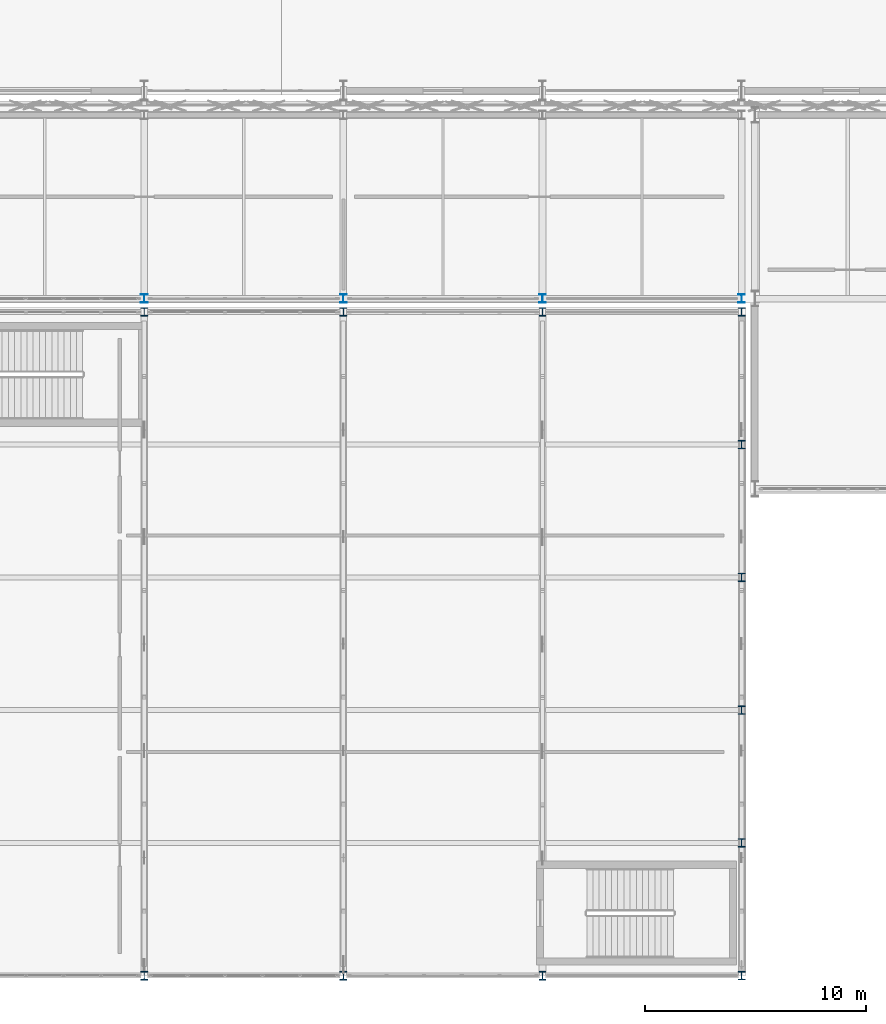
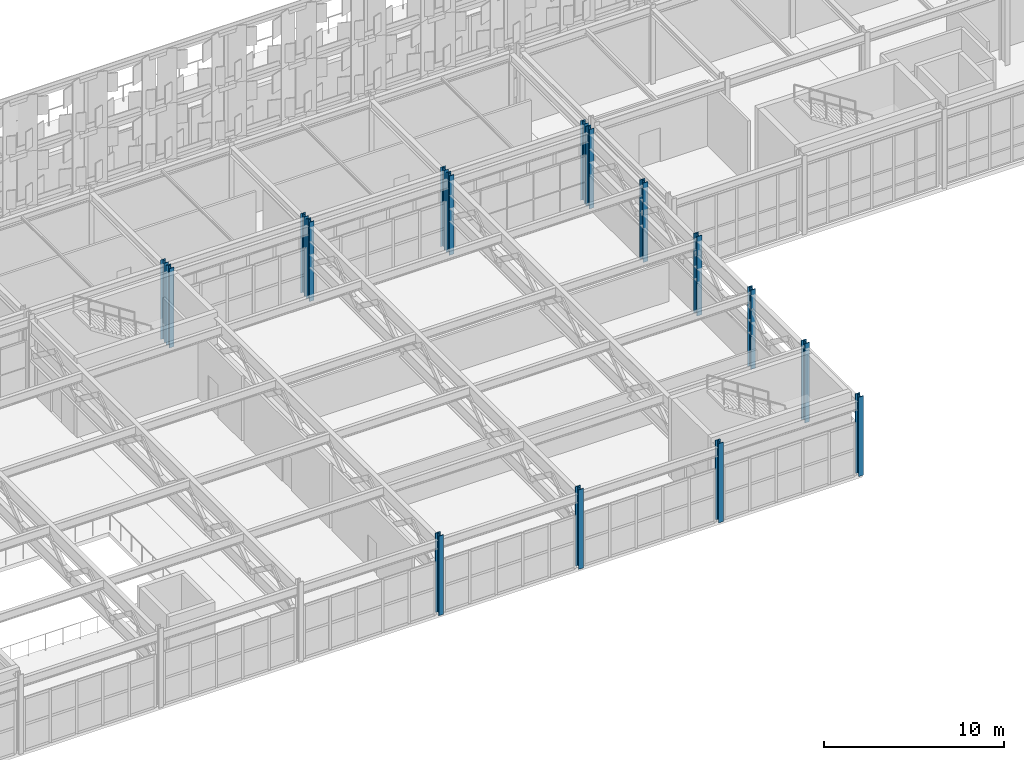
# One storey, part 2 of 210: 16 columns.
"""IFC4 building model written with IfcOpenShell, lengths in metres."""

from ifc_helpers import new_model, si_unit, direction, frame, origin, origin_2d, place, context, subcontext, project, spatial, i_section, extrude, material, material_profile, profile_set, type_object, element, save


model = new_model("IFC4")

# Units and contexts
model_context = context("Model", 3, precision=1e-05, world=origin(), true_north=direction((0.0, 1.0)))
body_context = subcontext(model_context, "Body", "Model", "MODEL_VIEW")
ifc_project = project(units=[si_unit("LENGTHUNIT", "METRE"), si_unit("AREAUNIT", "SQUARE_METRE"), si_unit("VOLUMEUNIT", "CUBIC_METRE"), si_unit("PLANEANGLEUNIT", "RADIAN"), si_unit("MASSUNIT", "GRAM", prefix="KILO")], contexts=[model_context])

# Site, building, storey
site_placement = place(None, origin())
site = spatial("IfcSite", under=ifc_project, at=site_placement, CompositionType="ELEMENT")
building_placement = place(site_placement, origin())
building = spatial("IfcBuilding", under=site, at=building_placement, Name="Kaldris Quays Convention Centre", CompositionType="ELEMENT")
storey_placement = place(building_placement, frame((0.0, 0.0, 6.0)))
storey = spatial("IfcBuildingStorey", under=building, at=storey_placement, Name="L01", CompositionType="ELEMENT", Elevation=6.0)

# Columns
ifc_material_1 = material(Name="Steel S460ML", Category="steel")
ifc_material_profile_1 = material_profile(ifc_material_1, i_section(OverallWidth=0.30810546875, OverallDepth=0.39501953125, WebThickness=0.02099609375, FlangeThickness=0.0400390625, FilletRadius=0.027099609375, at=origin_2d()), Name="HEM 360")
ifc_profile_set_1 = profile_set([ifc_material_profile_1], Name="Steel S460ML")
column_type_1 = type_object("IfcColumnType", Name="STRUCTURAL COLUMN CL02", PredefinedType="COLUMN", material=ifc_profile_set_1)
for number, where, z_axis, x_axis, name in (
    (1, (56.0, 16.0, 0.0), (0.0, 0.0, 1.0), (1.0, 0.0, 0.0), "L01 V3 Column CL02 (56.00, 16.00)"),
    (2, (56.0, 46.0, 0.0), (0.0, 0.0, 1.0), (1.0, 0.0, 0.0), "L01 V3 Column CL02 (56.00, 46.00)"),
    (3, (65.0, 16.0, 0.0), (0.0, 0.0, 1.0), (1.0, 0.0, 0.0), "L01 V3 Column CL02 (65.00, 16.00)"),
    (4, (65.0, 46.0, 0.0), (0.0, 0.0, 1.0), (1.0, 0.0, 0.0), "L01 V3 Column CL02 (65.00, 46.00)"),
    (5, (74.0, 16.0, 0.0), (0.0, 0.0, 1.0), (1.0, 0.0, 0.0), "L01 V3 Column CL02 (74.00, 16.00)"),
    (6, (74.0, 46.0, 0.0), (0.0, 0.0, 1.0), (1.0, 0.0, 0.0), "L01 V3 Column CL02 (74.00, 46.00)"),
    (7, (83.0, 16.0, 0.0), (0.0, 0.0, 1.0), (1.0, 0.0, 0.0), "L01 V3 Column CL02 (83.00, 16.00)"),
    (8, (83.0, 22.0, 0.0), (0.0, 0.0, 1.0), (1.0, 0.0, 0.0), "L01 V3 Column CL02 (83.00, 22.00)"),
    (9, (83.0, 28.0, 0.0), (0.0, 0.0, 1.0), (1.0, 0.0, 0.0), "L01 V3 Column CL02 (83.00, 28.00)"),
    (10, (83.0, 34.0, 0.0), (0.0, 0.0, 1.0), (1.0, 0.0, 0.0), "L01 V3 Column CL02 (83.00, 34.00)"),
    (11, (83.0, 40.0, 0.0), (0.0, 0.0, 1.0), (1.0, 0.0, 0.0), "L01 V3 Column CL02 (83.00, 40.00)"),
    (12, (83.0, 46.0, 0.0), (0.0, 0.0, 1.0), (1.0, 0.0, 0.0), "L01 V3 Column CL02 (83.00, 46.00)"),
):
    element("IfcColumn", number, at=place(storey_placement, frame(where, z_axis=z_axis, x_axis=x_axis)), inside=storey, type_object=column_type_1, Name=name, PredefinedType="COLUMN", context=body_context, shape_type="SweptSolid", body=[
        extrude(i_section(OverallWidth=0.30810546875, OverallDepth=0.39501953125, WebThickness=0.02099609375, FlangeThickness=0.0400390625, FilletRadius=0.027099609375, at=origin_2d()), origin(), (0.0, 0.0, 1.0), 5.39990234375),
    ])
ifc_material_2 = material(Name="Steel S355J2", Category="steel")
ifc_material_profile_2 = material_profile(ifc_material_2, i_section(OverallWidth=0.300048828125, OverallDepth=0.389892578125, WebThickness=0.010986328125, FlangeThickness=0.01904296875, FilletRadius=0.027099609375, at=origin_2d()), Name="HEA 400")
ifc_profile_set_2 = profile_set([ifc_material_profile_2], Name="Steel S355J2")
column_type_2 = type_object("IfcColumnType", Name="STRUCTURAL COLUMN CL12", PredefinedType="COLUMN", material=ifc_profile_set_2)
for number, where, z_axis, x_axis, name in (
    (13, (56.0, 46.60009765625, 0.0), (0.0, 0.0, 1.0), (1.0, 0.0, 0.0), "L01 V4 Column CL12 (56.00, 46.60)"),
    (14, (65.0, 46.60009765625, 0.0), (0.0, 0.0, 1.0), (1.0, 0.0, 0.0), "L01 V4 Column CL12 (65.00, 46.60)"),
    (15, (74.0, 46.60009765625, 0.0), (0.0, 0.0, 1.0), (1.0, 0.0, 0.0), "L01 V4 Column CL12 (74.00, 46.60)"),
    (16, (83.0, 46.60009765625, 0.0), (0.0, 0.0, 1.0), (1.0, 0.0, 0.0), "L01 V4 Column CL12 (83.00, 46.60)"),
):
    element("IfcColumn", number, at=place(storey_placement, frame(where, z_axis=z_axis, x_axis=x_axis)), inside=storey, type_object=column_type_2, Name=name, PredefinedType="COLUMN", context=body_context, shape_type="SweptSolid", body=[
        extrude(i_section(OverallWidth=0.300048828125, OverallDepth=0.389892578125, WebThickness=0.010986328125, FlangeThickness=0.01904296875, FilletRadius=0.027099609375, at=origin_2d()), origin(), (0.0, 0.0, 1.0), 5.39990234375),
    ])

save(model, "model.ifc")
